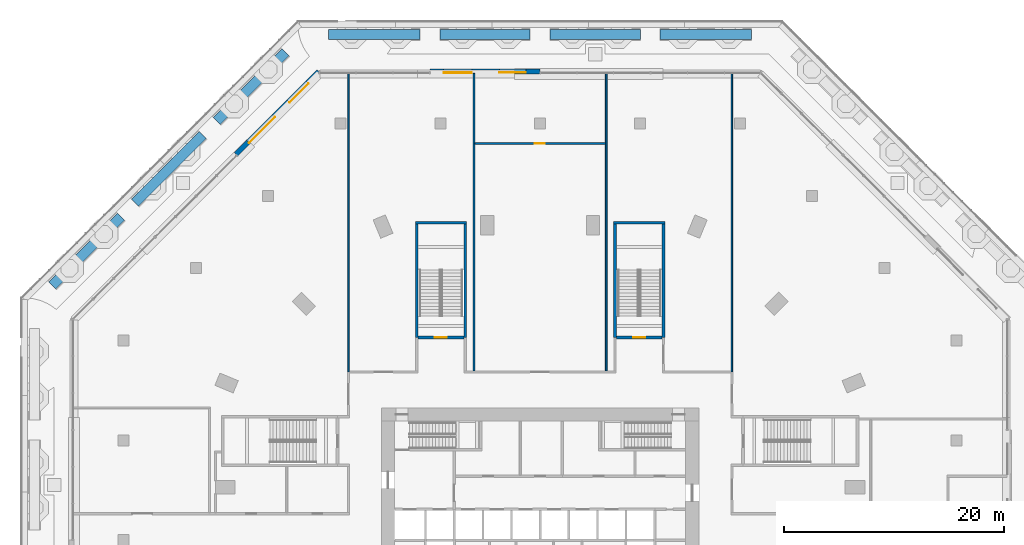
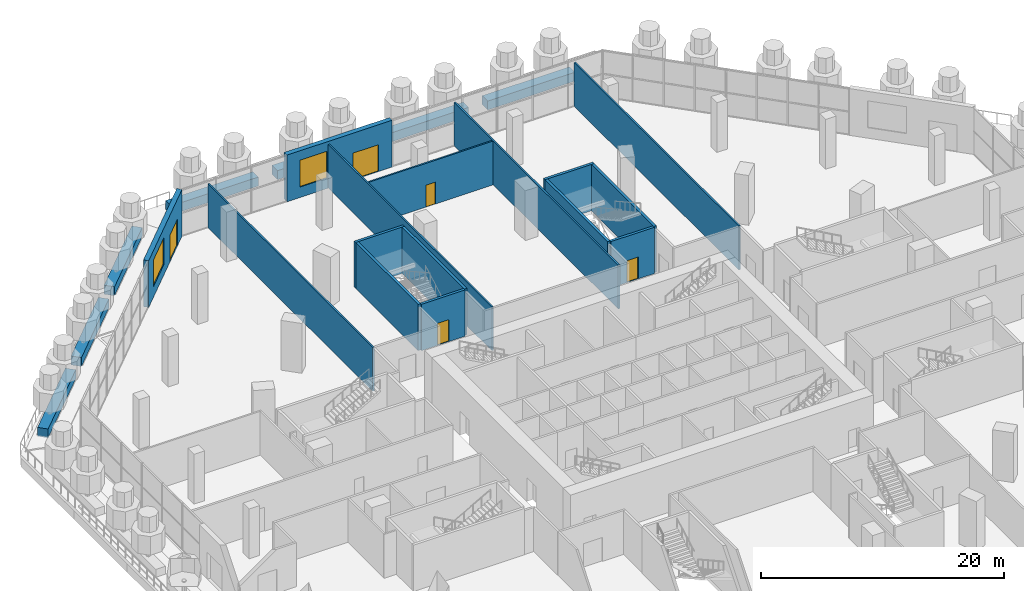
# One storey, part 26 of 32: 22 walls, 5 doors, 2 windows, 7 openings.
"""IFC4 building model written with IfcOpenShell, lengths in metres."""

from ifc_helpers import new_model, si_unit, direction, frame, frame_2d, origin, place, context, subcontext, project, spatial, rectangle, extrude, material, layer, layer_set, type_object, element, fill, save


model = new_model("IFC4")

# Units and contexts
model_context = context("Model", 3, precision=1e-05, world=origin(), true_north=direction((0.0, 1.0)))
body_context = subcontext(model_context, "Body", "Model", "MODEL_VIEW")
ifc_project = project(units=[si_unit("LENGTHUNIT", "METRE"), si_unit("AREAUNIT", "SQUARE_METRE"), si_unit("VOLUMEUNIT", "CUBIC_METRE"), si_unit("PLANEANGLEUNIT", "RADIAN"), si_unit("MASSUNIT", "GRAM", prefix="KILO")], contexts=[model_context])

# Site, building, storey
site_placement = place(None, origin())
site = spatial("IfcSite", under=ifc_project, at=site_placement, CompositionType="ELEMENT")
building_placement = place(site_placement, origin())
building = spatial("IfcBuilding", under=site, at=building_placement, Name="Msitu Wima Residences", CompositionType="ELEMENT")
storey_placement = place(building_placement, frame((0.0, 0.0, 6.0)))
storey = spatial("IfcBuildingStorey", under=building, at=storey_placement, Name="L01", CompositionType="ELEMENT", Elevation=6.0)

# Wall, openings, door, window
ifc_material_1 = material(Name="Brick (red buff mix), cavity wall of two leaves", Category="masonry")
ifc_layer_1 = layer(ifc_material_1, 0.449951171875)
ifc_layer_set_1 = layer_set([ifc_layer_1], Name="Brick (red buff mix), cavity wall of two leaves")
wall_type_1 = type_object("IfcWallType", Name="Brick infill wall BW450 podium", PredefinedType="ELEMENTEDWALL", material=ifc_layer_set_1)
wall_1_placement = place(storey_placement, frame((0.0, 42.52490234375, 0.0), z_axis=(0.0, 0.0, 1.0), x_axis=(-1.0, 0.0, 0.0)))
wall_1 = element("IfcWall", 1, at=wall_1_placement, inside=storey, type_object=wall_type_1, Name="Brick infill wall L01 N2", PredefinedType="ELEMENTEDWALL", context=body_context, shape_type="SweptSolid", body=[
    extrude(rectangle(XDim=9.995849609375, YDim=0.449951171875, at=frame_2d((4.998046875, 0.0))), origin(), (0.0, 0.0, 1.0), 4.699951171875),
])
opening_1_placement = place(wall_1_placement, frame((1.299072265625, 0.0, 0.0)))
opening_1 = element("IfcOpeningElement", 2, at=opening_1_placement, cuts=wall_1, Name="Opening D01.002", PredefinedType="OPENING", context=body_context, shape_type="SweptSolid", body=[
    extrude(rectangle(XDim=2.39990234375, YDim=2.699951171875, at=frame_2d((1.199951171875, 1.35009765625))), frame((0.0, 0.23486328125, 0.0), z_axis=(0.0, -1.0, 0.0), x_axis=(1.0, 0.0, 0.0)), (0.0, 0.0, 1.0), 0.469970703125),
])
opening_2_placement = place(wall_1_placement, frame((6.2001953125, 0.0, 1.050048828125)))
opening_2 = element("IfcOpeningElement", 3, at=opening_2_placement, cuts=wall_1, Name="Opening W01.002", PredefinedType="OPENING", context=body_context, shape_type="SweptSolid", body=[
    extrude(rectangle(XDim=2.550048828125, YDim=2.699951171875, at=frame_2d((1.27490234375, 1.35009765625))), frame((0.0, 0.23486328125, 0.0), z_axis=(0.0, -1.0, 0.0), x_axis=(1.0, 0.0, 0.0)), (0.0, 0.0, 1.0), 0.469970703125),
])
ifc_material_2 = material(Name="Anodised aluminium, bronze finish, clear low-emissivity double glazing", Category="aluminium")
door_type_1 = type_object("IfcDoorType", Name="Balcony door D2400x2700", OperationType="SLIDING_TO_LEFT", PredefinedType="DOOR", material=ifc_material_2)
door_1_placement = place(opening_1_placement, origin())
door_1 = element("IfcDoor", 4, at=door_1_placement, inside=storey, type_object=door_type_1, Name="Terrace door L01 N2", OperationType="SINGLE_SWING_LEFT", OverallHeight=2.699951171875, OverallWidth=2.39990234375, PredefinedType="DOOR", context=body_context, shape_type="SweptSolid", body=[
    extrude(rectangle(XDim=2.39990234375, YDim=2.699951171875, at=frame_2d((1.199951171875, 1.35009765625))), frame((0.0, 0.1298828125, 0.0), z_axis=(0.0, -1.0, 0.0), x_axis=(1.0, 0.0, 0.0)), (0.0, 0.0, 1.0), 0.050048828125),
])
fill(opening_1, door_1)
window_type_1 = type_object("IfcWindowType", Name="Window W2550x2700", PartitioningType="DOUBLE_PANEL_VERTICAL", PredefinedType="WINDOW", material=ifc_material_2)
window_1_placement = place(opening_2_placement, origin())
window_1 = element("IfcWindow", 5, at=window_1_placement, inside=storey, type_object=window_type_1, Name="Window L01 N2.2b", OverallHeight=2.699951171875, OverallWidth=2.550048828125, PartitioningType="SINGLE_PANEL", PredefinedType="WINDOW", context=body_context, shape_type="SweptSolid", body=[
    extrude(rectangle(XDim=2.550048828125, YDim=2.699951171875, at=frame_2d((1.27490234375, 1.35009765625))), frame((0.0, 0.135009765625, 0.0), z_axis=(0.0, -1.0, 0.0), x_axis=(1.0, 0.0, 0.0)), (0.0, 0.0, 1.0), 0.06005859375),
])
fill(opening_2, window_1)

wall_2_placement = place(storey_placement, frame((-20.0849609375, 42.52490234375, 0.0), z_axis=(0.0, 0.0, 1.0), x_axis=(-0.707106781187, -0.707106781187, 0.0)))
wall_2 = element("IfcWall", 6, at=wall_2_placement, inside=storey, type_object=wall_type_1, Name="Brick infill wall L01 NW0", PredefinedType="ELEMENTEDWALL", context=body_context, shape_type="SweptSolid", body=[
    extrude(rectangle(XDim=10.609375, YDim=0.449951171875, at=frame_2d((5.3046875, 0.0))), origin(), (0.0, 0.0, 1.0), 4.699951171875),
])
opening_3_placement = place(wall_2_placement, frame((1.452392578125, 0.0, 0.0)))
opening_3 = element("IfcOpeningElement", 7, at=opening_3_placement, cuts=wall_2, Name="Opening D01.004", PredefinedType="OPENING", context=body_context, shape_type="SweptSolid", body=[
    extrude(rectangle(XDim=2.39990234375, YDim=2.699951171875, at=frame_2d((1.199951171875, 1.35009765625))), frame((0.0, 0.23486328125, 0.0), z_axis=(0.0, -1.0, 0.0), x_axis=(1.0, 0.0, 0.0)), (0.0, 0.0, 1.0), 0.469970703125),
])
opening_4_placement = place(wall_2_placement, frame((5.754638671875, 0.0, 1.050048828125)))
opening_4 = element("IfcOpeningElement", 8, at=opening_4_placement, cuts=wall_2, Name="Opening W01.004", PredefinedType="OPENING", context=body_context, shape_type="SweptSolid", body=[
    extrude(rectangle(XDim=3.300048828125, YDim=2.699951171875, at=frame_2d((1.64990234375, 1.35009765625))), frame((0.0, 0.23486328125, 0.0), z_axis=(0.0, -1.0, 0.0), x_axis=(1.0, 0.0, 0.0)), (0.0, 0.0, 1.0), 0.469970703125),
])
door_2_placement = place(opening_3_placement, origin())
door_2 = element("IfcDoor", 9, at=door_2_placement, inside=storey, type_object=door_type_1, Name="Terrace door L01 NW0", OperationType="SINGLE_SWING_LEFT", OverallHeight=2.699951171875, OverallWidth=2.39990234375, PredefinedType="DOOR", context=body_context, shape_type="SweptSolid", body=[
    extrude(rectangle(XDim=2.39990234375, YDim=2.699951171875, at=frame_2d((1.199951171875, 1.35009765625))), frame((0.0, 0.1298828125, 0.0), z_axis=(0.0, -1.0, 0.0), x_axis=(1.0, 0.0, 0.0)), (0.0, 0.0, 1.0), 0.050048828125),
])
fill(opening_3, door_2)
window_type_2 = type_object("IfcWindowType", Name="Window W3300x2700", PartitioningType="DOUBLE_PANEL_VERTICAL", PredefinedType="WINDOW", material=ifc_material_2)
window_2_placement = place(opening_4_placement, origin())
window_2 = element("IfcWindow", 10, at=window_2_placement, inside=storey, type_object=window_type_2, Name="Window L01 NW0.2", OverallHeight=2.699951171875, OverallWidth=3.300048828125, PartitioningType="SINGLE_PANEL", PredefinedType="WINDOW", context=body_context, shape_type="SweptSolid", body=[
    extrude(rectangle(XDim=3.300048828125, YDim=2.699951171875, at=frame_2d((1.64990234375, 1.35009765625))), frame((0.0, 0.135009765625, 0.0), z_axis=(0.0, -1.0, 0.0), x_axis=(1.0, 0.0, 0.0)), (0.0, 0.0, 1.0), 0.06005859375),
])
fill(opening_4, window_2)

# Walls
ifc_material_3 = material(Name="Plaster")
ifc_layer_2 = layer(ifc_material_3, 0.011962890625, Name="Plaster")
ifc_material_4 = material(Name="Concrete blockwork", Category="masonry")
ifc_layer_3 = layer(ifc_material_4, 0.1259765625, Name="Concrete blockwork")
ifc_layer_4 = layer(ifc_material_3, 0.011962890625, Name="Plaster")
ifc_layer_set_2 = layer_set([ifc_layer_2, ifc_layer_3, ifc_layer_4], Name="Concrete blockwork")
wall_type_2 = type_object("IfcWallType", Name="Partition PW150", PredefinedType="PARTITIONING", material=ifc_layer_set_2)
wall_3_placement = place(storey_placement, frame((-17.39990234375, 15.23681640625, 0.0), z_axis=(0.0, 0.0, 1.0), x_axis=(0.0, 1.0, 0.0)))
element("IfcWall", 11, at=wall_3_placement, inside=storey, type_object=wall_type_2, Name="Partition", PredefinedType="PARTITIONING", context=body_context, shape_type="SweptSolid", body=[
    extrude(rectangle(XDim=27.1181640625, YDim=0.14990234375, at=frame_2d((13.55908203125, 0.0))), origin(), (0.0, 0.0, 1.0), 4.39990234375),
])
wall_4_placement = place(storey_placement, frame((-6.0, 15.356689453125, 0.0), z_axis=(0.0, 0.0, 1.0), x_axis=(0.0, 1.0, 0.0)))
element("IfcWall", 12, at=wall_4_placement, inside=storey, type_object=wall_type_2, Name="Partition", PredefinedType="PARTITIONING", context=body_context, shape_type="SweptSolid", body=[
    extrude(rectangle(XDim=26.998291015625, YDim=0.14990234375, at=frame_2d((13.4990234375, 0.0))), origin(), (0.0, 0.0, 1.0), 4.39990234375),
])

# Wall, opening, door
wall_5_placement = place(storey_placement, frame((-5.925048828125, 36.0, 0.0), z_axis=(0.0, 0.0, 1.0), x_axis=(1.0, 0.0, 0.0)))
wall_5 = element("IfcWall", 13, at=wall_5_placement, inside=storey, type_object=wall_type_2, Name="Partition", PredefinedType="PARTITIONING", context=body_context, shape_type="SweptSolid", body=[
    extrude(rectangle(XDim=11.85009765625, YDim=0.14990234375, at=frame_2d((5.925048828125, 0.0))), origin(), (0.0, 0.0, 1.0), 4.39990234375),
])
opening_5_placement = place(wall_5_placement, frame((5.449951171875, 0.0, 0.0)))
opening_5 = element("IfcOpeningElement", 14, at=opening_5_placement, cuts=wall_5, Name="Opening D01.045", PredefinedType="OPENING", context=body_context, shape_type="SweptSolid", body=[
    extrude(rectangle(XDim=0.89990234375, YDim=2.199951171875, at=frame_2d((0.449951171875, 1.10009765625))), frame((0.0, 0.0849609375, 0.0), z_axis=(0.0, -1.0, 0.0), x_axis=(1.0, 0.0, 0.0)), (0.0, 0.0, 1.0), 0.169921875),
])
ifc_material_5 = material(Name="Timber flush door", Category="wood")
door_type_2 = type_object("IfcDoorType", Name="Service door D05 900x2200", OperationType="SINGLE_SWING_LEFT", PredefinedType="DOOR", material=ifc_material_5)
door_3_placement = place(opening_5_placement, origin())
door_3 = element("IfcDoor", 15, at=door_3_placement, inside=storey, type_object=door_type_2, Name="Service door", OperationType="SINGLE_SWING_LEFT", OverallHeight=2.199951171875, OverallWidth=0.89990234375, PredefinedType="DOOR", context=body_context, shape_type="SweptSolid", body=[
    extrude(rectangle(XDim=0.89990234375, YDim=2.199951171875, at=frame_2d((0.449951171875, 1.10009765625))), frame((0.0, 0.02490234375, 0.0), z_axis=(0.0, -1.0, 0.0), x_axis=(1.0, 0.0, 0.0)), (0.0, 0.0, 1.0), 0.050048828125),
])
fill(opening_5, door_3)

# Walls
wall_6_placement = place(storey_placement, frame((6.0, 15.356689453125, 0.0), z_axis=(0.0, 0.0, 1.0), x_axis=(0.0, 1.0, 0.0)))
element("IfcWall", 16, at=wall_6_placement, inside=storey, type_object=wall_type_2, Name="Partition", PredefinedType="PARTITIONING", context=body_context, shape_type="SweptSolid", body=[
    extrude(rectangle(XDim=26.998291015625, YDim=0.14990234375, at=frame_2d((13.4990234375, 0.0))), origin(), (0.0, 0.0, 1.0), 4.39990234375),
])
wall_7_placement = place(storey_placement, frame((17.39990234375, 15.23681640625, 0.0), z_axis=(0.0, 0.0, 1.0), x_axis=(0.0, 1.0, 0.0)))
element("IfcWall", 17, at=wall_7_placement, inside=storey, type_object=wall_type_2, Name="Partition", PredefinedType="PARTITIONING", context=body_context, shape_type="SweptSolid", body=[
    extrude(rectangle(XDim=27.1181640625, YDim=0.14990234375, at=frame_2d((13.55908203125, 0.0))), origin(), (0.0, 0.0, 1.0), 4.39990234375),
])
ifc_material_6 = material(Name="Concrete C50/60", Category="concrete")
ifc_layer_5 = layer(ifc_material_6, 0.25)
ifc_layer_set_3 = layer_set([ifc_layer_5], Name="Concrete C50/60")
wall_type_3 = type_object("IfcWallType", Name="Stair enclosure wall SW250", PredefinedType="SHEAR", material=ifc_layer_set_3)
wall_8_placement = place(storey_placement, frame((-11.199951171875, 18.39990234375, 0.0), z_axis=(0.0, 0.0, 1.0), x_axis=(0.0, 1.0, 0.0)))
element("IfcWall", 18, at=wall_8_placement, inside=storey, type_object=wall_type_3, Name="Stair enclosure wall", PredefinedType="SHEAR", context=body_context, shape_type="SweptSolid", body=[
    extrude(rectangle(XDim=10.275146484375, YDim=0.25, at=frame_2d((5.1376953125, 0.0))), origin(), (0.0, 0.0, 1.0), 4.64990234375),
])

# Wall, opening, door
wall_9_placement = place(storey_placement, frame((-11.074951171875, 18.39990234375, 0.0), z_axis=(0.0, 0.0, 1.0), x_axis=(1.0, 0.0, 0.0)))
wall_9 = element("IfcWall", 19, at=wall_9_placement, inside=storey, type_object=wall_type_3, Name="Stair enclosure wall", PredefinedType="SHEAR", context=body_context, shape_type="SweptSolid", body=[
    extrude(rectangle(XDim=4.14990234375, YDim=0.25, at=frame_2d((2.074951171875, 0.0))), origin(), (0.0, 0.0, 1.0), 4.64990234375),
])
opening_6_placement = place(wall_9_placement, frame((1.5, 0.0, 0.0)))
opening_6 = element("IfcOpeningElement", 20, at=opening_6_placement, cuts=wall_9, Name="Opening D01.053", PredefinedType="OPENING", context=body_context, shape_type="SweptSolid", body=[
    extrude(rectangle(XDim=1.10009765625, YDim=2.199951171875, at=frame_2d((0.550048828125, 1.10009765625))), frame((0.0, 0.135009765625, 0.0), z_axis=(0.0, -1.0, 0.0), x_axis=(1.0, 0.0, 0.0)), (0.0, 0.0, 1.0), 0.27001953125),
])
ifc_material_7 = material(Name="Steel door, fire resisting, panic bar", Category="steel")
door_type_3 = type_object("IfcDoorType", Name="Stair door D13 1100x2200", OperationType="SINGLE_SWING_LEFT", PredefinedType="DOOR", material=ifc_material_7)
door_4_placement = place(opening_6_placement, origin())
door_4 = element("IfcDoor", 21, at=door_4_placement, inside=storey, type_object=door_type_3, Name="Stair door", OperationType="SINGLE_SWING_LEFT", OverallHeight=2.199951171875, OverallWidth=1.10009765625, PredefinedType="DOOR", context=body_context, shape_type="SweptSolid", body=[
    extrude(rectangle(XDim=1.10009765625, YDim=2.199951171875, at=frame_2d((0.550048828125, 1.10009765625))), frame((0.0, 0.02490234375, 0.0), z_axis=(0.0, -1.0, 0.0), x_axis=(1.0, 0.0, 0.0)), (0.0, 0.0, 1.0), 0.050048828125),
])
fill(opening_6, door_4)

# Walls
wall_10_placement = place(storey_placement, frame((-11.324951171875, 28.800048828125, 0.0), z_axis=(0.0, 0.0, 1.0), x_axis=(1.0, 0.0, 0.0)))
element("IfcWall", 22, at=wall_10_placement, inside=storey, type_object=wall_type_3, Name="Stair enclosure wall", PredefinedType="SHEAR", context=body_context, shape_type="SweptSolid", body=[
    extrude(rectangle(XDim=4.64990234375, YDim=0.25, at=frame_2d((2.324951171875, 0.0))), origin(), (0.0, 0.0, 1.0), 4.64990234375),
])
for number, where, z_axis, x_axis, name in (
    (23, (-6.800048828125, 18.39990234375, 0.0), (0.0, 0.0, 1.0), (0.0, 1.0, 0.0), "Stair enclosure wall"),
    (24, (6.800048828125, 18.39990234375, 0.0), (0.0, 0.0, 1.0), (0.0, 1.0, 0.0), "Stair enclosure wall"),
):
    element("IfcWall", number, at=place(storey_placement, frame(where, z_axis=z_axis, x_axis=x_axis)), inside=storey, type_object=wall_type_3, Name=name, PredefinedType="SHEAR", context=body_context, shape_type="SweptSolid", body=[
        extrude(rectangle(XDim=10.275146484375, YDim=0.25, at=frame_2d((5.1376953125, 0.0))), origin(), (0.0, 0.0, 1.0), 4.64990234375),
    ])

# Wall, opening, door
wall_11_placement = place(storey_placement, frame((6.925048828125, 18.39990234375, 0.0), z_axis=(0.0, 0.0, 1.0), x_axis=(1.0, 0.0, 0.0)))
wall_11 = element("IfcWall", 25, at=wall_11_placement, inside=storey, type_object=wall_type_3, Name="Stair enclosure wall", PredefinedType="SHEAR", context=body_context, shape_type="SweptSolid", body=[
    extrude(rectangle(XDim=4.14990234375, YDim=0.25, at=frame_2d((2.074951171875, 0.0))), origin(), (0.0, 0.0, 1.0), 4.64990234375),
])
opening_7_placement = place(wall_11_placement, frame((1.5, 0.0, 0.0)))
opening_7 = element("IfcOpeningElement", 26, at=opening_7_placement, cuts=wall_11, Name="Opening D01.054", PredefinedType="OPENING", context=body_context, shape_type="SweptSolid", body=[
    extrude(rectangle(XDim=1.10009765625, YDim=2.199951171875, at=frame_2d((0.550048828125, 1.10009765625))), frame((0.0, 0.135009765625, 0.0), z_axis=(0.0, -1.0, 0.0), x_axis=(1.0, 0.0, 0.0)), (0.0, 0.0, 1.0), 0.27001953125),
])
door_5_placement = place(opening_7_placement, origin())
door_5 = element("IfcDoor", 27, at=door_5_placement, inside=storey, type_object=door_type_3, Name="Stair door", OperationType="SINGLE_SWING_LEFT", OverallHeight=2.199951171875, OverallWidth=1.10009765625, PredefinedType="DOOR", context=body_context, shape_type="SweptSolid", body=[
    extrude(rectangle(XDim=1.10009765625, YDim=2.199951171875, at=frame_2d((0.550048828125, 1.10009765625))), frame((0.0, 0.02490234375, 0.0), z_axis=(0.0, -1.0, 0.0), x_axis=(1.0, 0.0, 0.0)), (0.0, 0.0, 1.0), 0.050048828125),
])
fill(opening_7, door_5)

# Walls
wall_12_placement = place(storey_placement, frame((6.675048828125, 28.800048828125, 0.0), z_axis=(0.0, 0.0, 1.0), x_axis=(1.0, 0.0, 0.0)))
element("IfcWall", 28, at=wall_12_placement, inside=storey, type_object=wall_type_3, Name="Stair enclosure wall", PredefinedType="SHEAR", context=body_context, shape_type="SweptSolid", body=[
    extrude(rectangle(XDim=4.64990234375, YDim=0.25, at=frame_2d((2.324951171875, 0.0))), origin(), (0.0, 0.0, 1.0), 4.64990234375),
])
wall_13_placement = place(storey_placement, frame((11.199951171875, 18.39990234375, 0.0), z_axis=(0.0, 0.0, 1.0), x_axis=(0.0, 1.0, 0.0)))
element("IfcWall", 29, at=wall_13_placement, inside=storey, type_object=wall_type_3, Name="Stair enclosure wall", PredefinedType="SHEAR", context=body_context, shape_type="SweptSolid", body=[
    extrude(rectangle(XDim=10.275146484375, YDim=0.25, at=frame_2d((5.1376953125, 0.0))), origin(), (0.0, 0.0, 1.0), 4.64990234375),
])
ifc_material_8 = material(Name="Facing brick")
ifc_layer_6 = layer(ifc_material_8, 0.06494140625, Name="Facing brick")
ifc_material_9 = material(Name="Concrete C40/50", Category="concrete")
ifc_layer_7 = layer(ifc_material_9, 0.381103515625, Name="Concrete C40/50")
ifc_material_10 = material(Name="Waterproofing membrane")
ifc_layer_8 = layer(ifc_material_10, 0.00390625, Name="Waterproofing membrane")
ifc_material_11 = material(Name="Planting soil and planting")
ifc_layer_9 = layer(ifc_material_11, 0.449951171875, Name="Planting soil and planting")
ifc_layer_set_4 = layer_set([ifc_layer_6, ifc_layer_7, ifc_layer_8, ifc_layer_9], Name="Concrete C40/50")
wall_type_4 = type_object("IfcWallType", Name="Terrace planter PLANTER PL900", PredefinedType="USERDEFINED", material=ifc_layer_set_4)
wall_14_placement = place(storey_placement, frame((19.18505859375, 45.89990234375, 0.0), z_axis=(0.0, 0.0, 1.0), x_axis=(-1.0, 0.0, 0.0)))
element("IfcWall", 30, at=wall_14_placement, inside=storey, type_object=wall_type_4, Name="Terrace planter L01 N0", ObjectType="PLANTER", PredefinedType="USERDEFINED", context=body_context, shape_type="SweptSolid", body=[
    extrude(rectangle(XDim=8.2890625, YDim=0.89990234375, at=frame_2d((4.14453125, 0.0))), origin(), (0.0, 0.0, 1.0), 0.89990234375),
])
for number, where, z_axis, x_axis, name in (
    (31, (9.095947265625, 45.89990234375, 0.0), (0.0, 0.0, 1.0), (-1.0, 0.0, 0.0), "Terrace planter L01 N1"),
    (32, (-0.89990234375, 45.89990234375, 0.0), (0.0, 0.0, 1.0), (-1.0, 0.0, 0.0), "Terrace planter L01 N2"),
):
    element("IfcWall", number, at=place(storey_placement, frame(where, z_axis=z_axis, x_axis=x_axis)), inside=storey, type_object=wall_type_4, Name=name, ObjectType="PLANTER", PredefinedType="USERDEFINED", context=body_context, shape_type="SweptSolid", body=[
        extrude(rectangle(XDim=8.196044921875, YDim=0.89990234375, at=frame_2d((4.09814453125, 0.0))), origin(), (0.0, 0.0, 1.0), 0.89990234375),
    ])
wall_15_placement = place(storey_placement, frame((-10.89599609375, 45.89990234375, 0.0), z_axis=(0.0, 0.0, 1.0), x_axis=(-1.0, 0.0, 0.0)))
element("IfcWall", 33, at=wall_15_placement, inside=storey, type_object=wall_type_4, Name="Terrace planter L01 N3", ObjectType="PLANTER", PredefinedType="USERDEFINED", context=body_context, shape_type="SweptSolid", body=[
    extrude(rectangle(XDim=8.2890625, YDim=0.89990234375, at=frame_2d((4.14453125, 0.0))), origin(), (0.0, 0.0, 1.0), 0.89990234375),
])
wall_16_placement = place(storey_placement, frame((-23.10791015625, 44.275146484375, 0.0), z_axis=(0.0, 0.0, 1.0), x_axis=(-0.707106781187, -0.707106781187, 0.0)))
element("IfcWall", 34, at=wall_16_placement, inside=storey, type_object=wall_type_4, Name="Terrace planter L01 NW0", ObjectType="PLANTER", PredefinedType="USERDEFINED", context=body_context, shape_type="SweptSolid", body=[
    extrude(rectangle(XDim=8.8095703125, YDim=0.89990234375, at=frame_2d((4.40478515625, 0.0))), origin(), (0.0, 0.0, 1.0), 0.89990234375),
])
wall_17_placement = place(storey_placement, frame((-30.60986328125, 36.773193359375, 0.0), z_axis=(0.0, 0.0, 1.0), x_axis=(-0.707106781187, -0.707106781187, 0.0)))
element("IfcWall", 35, at=wall_17_placement, inside=storey, type_object=wall_type_4, Name="Terrace planter L01 NW1", ObjectType="PLANTER", PredefinedType="USERDEFINED", context=body_context, shape_type="SweptSolid", body=[
    extrude(rectangle(XDim=8.71630859375, YDim=0.89990234375, at=frame_2d((4.358154296875, 0.0))), origin(), (0.0, 0.0, 1.0), 0.89990234375),
])
wall_18_placement = place(storey_placement, frame((-38.0458984375, 29.337158203125, 0.0), z_axis=(0.0, 0.0, 1.0), x_axis=(-0.707106781187, -0.707106781187, 0.0)))
element("IfcWall", 36, at=wall_18_placement, inside=storey, type_object=wall_type_4, Name="Terrace planter L01 NW2", ObjectType="PLANTER", PredefinedType="USERDEFINED", context=body_context, shape_type="SweptSolid", body=[
    extrude(rectangle(XDim=8.8095703125, YDim=0.89990234375, at=frame_2d((4.40478515625, 0.0))), origin(), (0.0, 0.0, 1.0), 0.89990234375),
])

save(model, "model.ifc")
